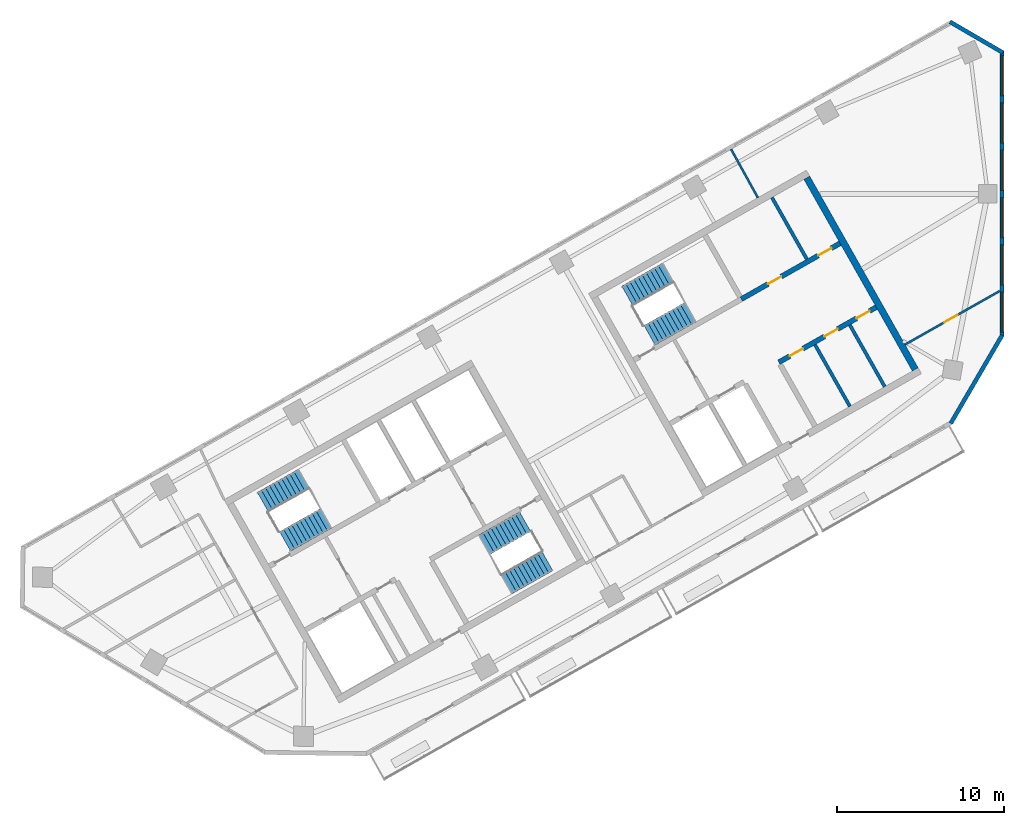
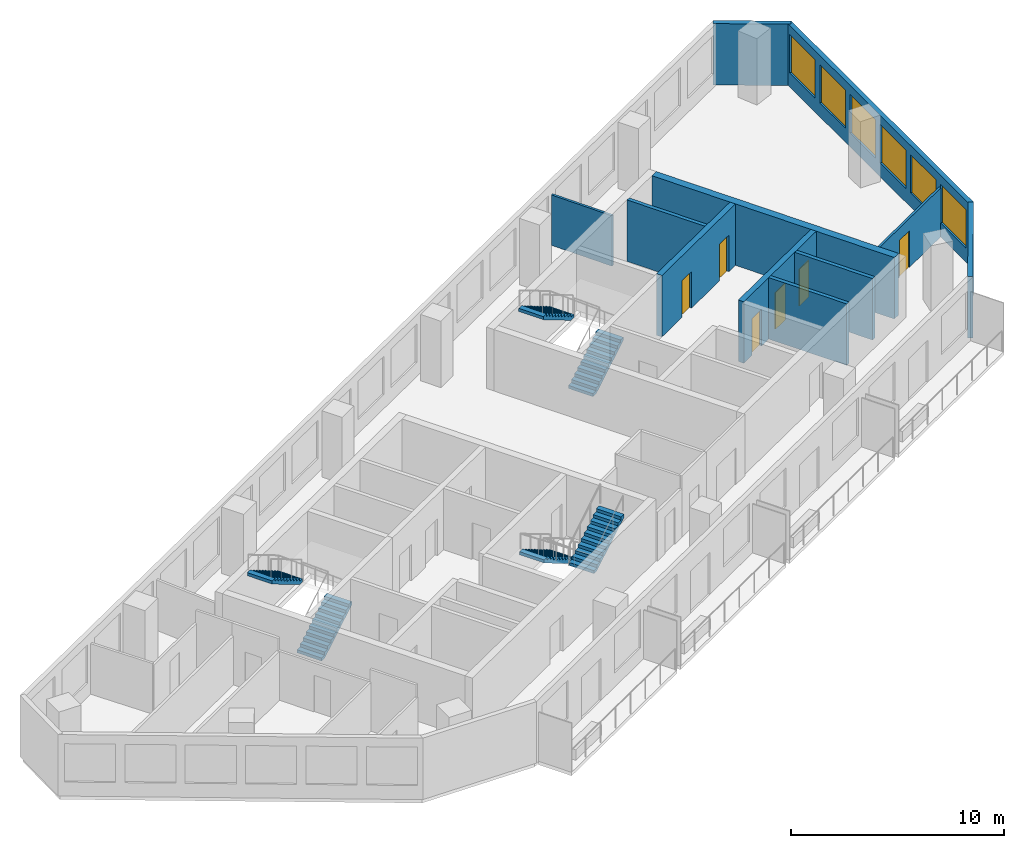
# One storey, part 5 of 7: 11 walls, 6 doors, 6 stair flights, 6 windows, 12 openings, 3 elements without a shape of their own.
"""IFC4 building model written with IfcOpenShell, lengths in metres."""

from ifc_helpers import new_model, si_unit, direction, frame, frame_2d, origin, place, context, subcontext, project, spatial, polyline, rectangle, outline, extrude, material, layer, layer_set, type_object, element, fill, aggregate, save


model = new_model("IFC4")

# Units and contexts
model_context = context("Model", 3, precision=1e-05, world=origin(), true_north=direction((0.0, 1.0)))
body_context = subcontext(model_context, "Body", "Model", "MODEL_VIEW")
ifc_project = project(units=[si_unit("LENGTHUNIT", "METRE"), si_unit("AREAUNIT", "SQUARE_METRE"), si_unit("VOLUMEUNIT", "CUBIC_METRE"), si_unit("PLANEANGLEUNIT", "RADIAN"), si_unit("MASSUNIT", "GRAM", prefix="KILO")], contexts=[model_context])

# Site, building, storey
site_placement = place(None, origin())
site = spatial("IfcSite", under=ifc_project, at=site_placement, CompositionType="ELEMENT")
building_placement = place(site_placement, origin())
building = spatial("IfcBuilding", under=site, at=building_placement, Name="Binnacle Exchange Tower", CompositionType="ELEMENT")
storey_placement = place(building_placement, frame((0.0, 0.0, 296.89990234375)))
storey = spatial("IfcBuildingStorey", under=building, at=storey_placement, Name="L66", CompositionType="ELEMENT", Elevation=296.89990234375)

# Walls
ifc_material_1 = material(Name="Gypsum partition fire rated")
ifc_layer_1 = layer(ifc_material_1, 0.199951171875)
ifc_layer_set_1 = layer_set([ifc_layer_1], Name="Core partition 200")
wall_type_1 = type_object("IfcWallType", Name="Core partition 200", PredefinedType="PARTITIONING", material=ifc_layer_set_1)
wall_1_placement = place(storey_placement, frame((-11.201904296875, 50.96240234375, 0.0), z_axis=(0.0, 0.0, 1.0), x_axis=(0.492441437811, -0.870345580977, 0.0)))
element("IfcWall", 1, at=wall_1_placement, inside=storey, type_object=wall_type_1, Name="Core wall CRWC19", PredefinedType="PARTITIONING", context=body_context, shape_type="SweptSolid", body=[
    extrude(rectangle(XDim=4.250244140625, YDim=0.199951171875, at=frame_2d((2.125, 0.0))), origin(), (0.0, 0.0, 1.0), 3.52001953125),
])
for number, where, z_axis, x_axis, name in (
    (2, (-13.78125, 59.785888671875, 0.0), (0.0, 0.0, 1.0), (0.492422543467, -0.870356271124, 0.0), "Core wall CRWC20"),
    (3, (-9.11279296875, 52.14404296875, 0.0), (0.0, 0.0, 1.0), (0.492422543467, -0.870356271124, 0.0), "Core wall CRWC22"),
):
    element("IfcWall", number, at=place(storey_placement, frame(where, z_axis=z_axis, x_axis=x_axis)), inside=storey, type_object=wall_type_1, Name=name, PredefinedType="PARTITIONING", context=body_context, shape_type="SweptSolid", body=[
        extrude(rectangle(XDim=4.25, YDim=0.199951171875, at=frame_2d((2.125, 0.0))), origin(), (0.0, 0.0, 1.0), 3.52001953125),
    ])

# Wall, openings, doors
ifc_material_2 = material(Name="Concrete C70/85", Category="concrete")
ifc_layer_2 = layer(ifc_material_2, 0.300048828125)
ifc_layer_set_2 = layer_set([ifc_layer_2], Name="Core wall - front 300")
wall_type_2 = type_object("IfcWallType", Name="Core wall - front 300", PredefinedType="SOLIDWALL", material=ifc_layer_set_2)
wall_2_placement = place(storey_placement, frame((-13.364501953125, 49.910888671875, 0.0), z_axis=(0.0, 0.0, 1.0), x_axis=(0.870347618718, 0.492437836272, 0.0)))
wall_2 = element("IfcWall", 4, at=wall_2_placement, inside=storey, type_object=wall_type_2, Name="Core wall CRWC3", PredefinedType="SOLIDWALL", context=body_context, shape_type="SweptSolid", body=[
    extrude(rectangle(XDim=6.699951171875, YDim=0.300048828125, at=frame_2d((3.35009765625, 0.0))), origin(), (0.0, 0.0, 1.0), 3.52001953125),
])
opening_1_placement = place(wall_2_placement, frame((0.75, 0.0, 0.0)))
opening_1 = element("IfcOpeningElement", 5, at=opening_1_placement, cuts=wall_2, Name="Opening DC18", PredefinedType="OPENING", context=body_context, shape_type="SweptSolid", body=[
    extrude(rectangle(XDim=0.89990234375, YDim=2.10009765625, at=frame_2d((0.449951171875, 1.050048828125))), frame((0.0, 0.159912109375, 0.0), z_axis=(0.0, -1.0, 0.0), x_axis=(1.0, 0.0, 0.0)), (0.0, 0.0, 1.0), 0.320068359375),
])
opening_2_placement = place(wall_2_placement, frame((3.14990234375, 0.0, 0.0)))
opening_2 = element("IfcOpeningElement", 6, at=opening_2_placement, cuts=wall_2, Name="Opening DC19", PredefinedType="OPENING", context=body_context, shape_type="SweptSolid", body=[
    extrude(rectangle(XDim=0.89990234375, YDim=2.10009765625, at=frame_2d((0.449951171875, 1.050048828125))), frame((0.0, 0.159912109375, 0.0), z_axis=(0.0, -1.0, 0.0), x_axis=(1.0, 0.0, 0.0)), (0.0, 0.0, 1.0), 0.320068359375),
])
opening_3_placement = place(wall_2_placement, frame((5.35009765625, 0.0, 0.0)))
opening_3 = element("IfcOpeningElement", 7, at=opening_3_placement, cuts=wall_2, Name="Opening DC20", PredefinedType="OPENING", context=body_context, shape_type="SweptSolid", body=[
    extrude(rectangle(XDim=0.89990234375, YDim=2.10009765625, at=frame_2d((0.449951171875, 1.050048828125))), frame((0.0, 0.159912109375, 0.0), z_axis=(0.0, -1.0, 0.0), x_axis=(1.0, 0.0, 0.0)), (0.0, 0.0, 1.0), 0.320068359375),
])
ifc_material_3 = material(Name="Steel door leaf", Category="steel")
door_type_1 = type_object("IfcDoorType", Name="Fire door 900", OperationType="NOTDEFINED", PredefinedType="DOOR", material=ifc_material_3)
door_1_placement = place(opening_1_placement, frame((0.89990234375, 0.0, 0.0), z_axis=(0.0, 0.0, 1.0), x_axis=(-1.0, 0.0, 0.0)))
door_1 = element("IfcDoor", 8, at=door_1_placement, inside=storey, type_object=door_type_1, Name="Core room door COMMS RISER ROOM", OperationType="SINGLE_SWING_RIGHT", OverallHeight=2.10009765625, OverallWidth=0.89990234375, PredefinedType="DOOR", context=body_context, shape_type="SweptSolid", body=[
    extrude(rectangle(XDim=0.89990234375, YDim=2.10009765625, at=frame_2d((0.449951171875, 1.050048828125))), frame((0.0, 0.02490234375, 0.0), z_axis=(0.0, -1.0, 0.0), x_axis=(1.0, 0.0, 0.0)), (0.0, 0.0, 1.0), 0.050048828125),
])
fill(opening_1, door_1)
door_2_placement = place(opening_2_placement, frame((0.89990234375, 0.0, 0.0), z_axis=(0.0, 0.0, 1.0), x_axis=(-1.0, 0.0, 0.0)))
door_2 = element("IfcDoor", 9, at=door_2_placement, inside=storey, type_object=door_type_1, Name="Core room door CLEANERS STORE", OperationType="SINGLE_SWING_LEFT", OverallHeight=2.10009765625, OverallWidth=0.89990234375, PredefinedType="DOOR", context=body_context, shape_type="SweptSolid", body=[
    extrude(rectangle(XDim=0.89990234375, YDim=2.10009765625, at=frame_2d((0.449951171875, 1.050048828125))), frame((0.0, 0.02490234375, 0.0), z_axis=(0.0, -1.0, 0.0), x_axis=(1.0, 0.0, 0.0)), (0.0, 0.0, 1.0), 0.050048828125),
])
fill(opening_2, door_2)
door_3_placement = place(opening_3_placement, frame((0.89990234375, 0.0, 0.0), z_axis=(0.0, 0.0, 1.0), x_axis=(-1.0, 0.0, 0.0)))
door_3 = element("IfcDoor", 10, at=door_3_placement, inside=storey, type_object=door_type_1, Name="Core room door IT STORE", OperationType="SINGLE_SWING_LEFT", OverallHeight=2.10009765625, OverallWidth=0.89990234375, PredefinedType="DOOR", context=body_context, shape_type="SweptSolid", body=[
    extrude(rectangle(XDim=0.89990234375, YDim=2.10009765625, at=frame_2d((0.449951171875, 1.050048828125))), frame((0.0, 0.02490234375, 0.0), z_axis=(0.0, -1.0, 0.0), x_axis=(1.0, 0.0, 0.0)), (0.0, 0.0, 1.0), 0.050048828125),
])
fill(opening_3, door_3)

wall_3_placement = place(storey_placement, frame((-15.6181640625, 53.69140625, 0.0), z_axis=(0.0, 0.0, 1.0), x_axis=(0.870362830851, 0.492410948978, 0.0)))
wall_3 = element("IfcWall", 11, at=wall_3_placement, inside=storey, type_object=wall_type_2, Name="Core wall CRWC5", PredefinedType="SOLIDWALL", context=body_context, shape_type="SweptSolid", body=[
    extrude(rectangle(XDim=6.800048828125, YDim=0.300048828125, at=frame_2d((3.39990234375, 0.0))), origin(), (0.0, 0.0, 1.0), 3.52001953125),
])
opening_4_placement = place(wall_3_placement, frame((1.85009765625, 0.0, 0.0)))
opening_4 = element("IfcOpeningElement", 12, at=opening_4_placement, cuts=wall_3, Name="Opening DC10", PredefinedType="OPENING", context=body_context, shape_type="SweptSolid", body=[
    extrude(rectangle(XDim=0.89990234375, YDim=2.10009765625, at=frame_2d((0.449951171875, 1.050048828125))), frame((0.0, 0.159912109375, 0.0), z_axis=(0.0, -1.0, 0.0), x_axis=(1.0, 0.0, 0.0)), (0.0, 0.0, 1.0), 0.320068359375),
])
opening_5_placement = place(wall_3_placement, frame((5.300048828125, 0.0, 0.0)))
opening_5 = element("IfcOpeningElement", 13, at=opening_5_placement, cuts=wall_3, Name="Opening DC11", PredefinedType="OPENING", context=body_context, shape_type="SweptSolid", body=[
    extrude(rectangle(XDim=0.89990234375, YDim=2.10009765625, at=frame_2d((0.449951171875, 1.050048828125))), frame((0.0, 0.159912109375, 0.0), z_axis=(0.0, -1.0, 0.0), x_axis=(1.0, 0.0, 0.0)), (0.0, 0.0, 1.0), 0.320068359375),
])
door_4_placement = place(opening_4_placement, origin())
door_4 = element("IfcDoor", 14, at=door_4_placement, inside=storey, type_object=door_type_1, Name="Core room door EQUIPMENT STORE", OperationType="SINGLE_SWING_LEFT", OverallHeight=2.10009765625, OverallWidth=0.89990234375, PredefinedType="DOOR", context=body_context, shape_type="SweptSolid", body=[
    extrude(rectangle(XDim=0.89990234375, YDim=2.10009765625, at=frame_2d((0.449951171875, 1.050048828125))), frame((0.0, 0.02490234375, 0.0), z_axis=(0.0, -1.0, 0.0), x_axis=(1.0, 0.0, 0.0)), (0.0, 0.0, 1.0), 0.050048828125),
])
fill(opening_4, door_4)
door_5_placement = place(opening_5_placement, origin())
door_5 = element("IfcDoor", 15, at=door_5_placement, inside=storey, type_object=door_type_1, Name="Core room door ELECTRICAL ROOM", OperationType="SINGLE_SWING_RIGHT", OverallHeight=2.10009765625, OverallWidth=0.89990234375, PredefinedType="DOOR", context=body_context, shape_type="SweptSolid", body=[
    extrude(rectangle(XDim=0.89990234375, YDim=2.10009765625, at=frame_2d((0.449951171875, 1.050048828125))), frame((0.0, 0.02490234375, 0.0), z_axis=(0.0, -1.0, 0.0), x_axis=(1.0, 0.0, 0.0)), (0.0, 0.0, 1.0), 0.050048828125),
])
fill(opening_5, door_5)

# Walls
ifc_layer_3 = layer(ifc_material_2, 0.39990234375)
ifc_layer_set_3 = layer_set([ifc_layer_3], Name="Core wall - outer 400")
wall_type_3 = type_object("IfcWallType", Name="Core wall - outer 400", PredefinedType="SOLIDWALL", material=ifc_layer_set_3)
wall_4_placement = place(storey_placement, frame((-11.6923828125, 60.968017578125, 0.0), z_axis=(0.0, 0.0, 1.0), x_axis=(0.492421663121, -0.870356769198, 0.0)))
element("IfcWall", 16, at=wall_4_placement, inside=storey, type_object=wall_type_3, Name="Core wall CRWC24", PredefinedType="SOLIDWALL", context=body_context, shape_type="SweptSolid", body=[
    extrude(rectangle(XDim=13.199951171875, YDim=0.39990234375, at=frame_2d((6.60009765625, 0.0))), origin(), (0.0, 0.0, 1.0), 3.52001953125),
])
ifc_material_4 = material(Name="Bronze aluminium cladding", Category="aluminium")
ifc_layer_4 = layer(ifc_material_4, 0.25)
ifc_layer_set_4 = layer_set([ifc_layer_4], Name="External wall - window wall 250")
wall_type_4 = type_object("IfcWallType", Name="External wall - window wall 250", PredefinedType="STANDARD", material=ifc_layer_set_4)
wall_5_placement = place(storey_placement, frame((0.01708984375, 51.529296875, 0.0), z_axis=(0.0, 0.0, 1.0), x_axis=(-0.503769237131, -0.863838269424, 0.0)))
element("IfcWall", 17, at=wall_5_placement, inside=storey, type_object=wall_type_4, Name="External wall EW-H00 L66", PredefinedType="STANDARD", context=body_context, shape_type="SweptSolid", body=[
    extrude(rectangle(XDim=6.114501953125, YDim=0.25, at=frame_2d((3.05712890625, 0.0))), origin(), (0.0, 0.0, 1.0), 3.52001953125),
])

# Wall, openings, windows
wall_6_placement = place(storey_placement, frame((0.0, 68.57177734375, 0.0), z_axis=(0.0, 0.0, 1.0), x_axis=(0.0, -1.0, 0.0)))
wall_6 = element("IfcWall", 18, at=wall_6_placement, inside=storey, type_object=wall_type_4, Name="External wall EW-H01 L66", PredefinedType="STANDARD", context=body_context, shape_type="SweptSolid", body=[
    extrude(rectangle(XDim=17.10546875, YDim=0.25, at=frame_2d((8.552734375, 0.0))), origin(), (0.0, 0.0, 1.0), 3.52001953125),
])
opening_6_placement = place(wall_6_placement, frame((14.455078125, 0.0, 0.800048828125)))
opening_6 = element("IfcOpeningElement", 19, at=opening_6_placement, cuts=wall_6, Name="Opening WR2", PredefinedType="OPENING", context=body_context, shape_type="SweptSolid", body=[
    extrude(rectangle(XDim=2.39990234375, YDim=2.199951171875, at=frame_2d((1.199951171875, 1.10009765625))), frame((0.0, 0.135009765625, 0.0), z_axis=(0.0, -1.0, 0.0), x_axis=(1.0, 0.0, 0.0)), (0.0, 0.0, 1.0), 0.27001953125),
])
opening_7_placement = place(wall_6_placement, frame((11.621826171875, 0.0, 0.800048828125)))
opening_7 = element("IfcOpeningElement", 20, at=opening_7_placement, cuts=wall_6, Name="Opening WR2", PredefinedType="OPENING", context=body_context, shape_type="SweptSolid", body=[
    extrude(rectangle(XDim=2.39990234375, YDim=2.199951171875, at=frame_2d((1.199951171875, 1.10009765625))), frame((0.0, 0.135009765625, 0.0), z_axis=(0.0, -1.0, 0.0), x_axis=(1.0, 0.0, 0.0)), (0.0, 0.0, 1.0), 0.27001953125),
])
opening_8_placement = place(wall_6_placement, frame((8.78857421875, 0.0, 0.800048828125)))
opening_8 = element("IfcOpeningElement", 21, at=opening_8_placement, cuts=wall_6, Name="Opening WR2", PredefinedType="OPENING", context=body_context, shape_type="SweptSolid", body=[
    extrude(rectangle(XDim=2.39990234375, YDim=2.199951171875, at=frame_2d((1.199951171875, 1.10009765625))), frame((0.0, 0.135009765625, 0.0), z_axis=(0.0, -1.0, 0.0), x_axis=(1.0, 0.0, 0.0)), (0.0, 0.0, 1.0), 0.27001953125),
])
opening_9_placement = place(wall_6_placement, frame((5.955078125, 0.0, 0.800048828125)))
opening_9 = element("IfcOpeningElement", 22, at=opening_9_placement, cuts=wall_6, Name="Opening WR2", PredefinedType="OPENING", context=body_context, shape_type="SweptSolid", body=[
    extrude(rectangle(XDim=2.39990234375, YDim=2.199951171875, at=frame_2d((1.199951171875, 1.10009765625))), frame((0.0, 0.135009765625, 0.0), z_axis=(0.0, -1.0, 0.0), x_axis=(1.0, 0.0, 0.0)), (0.0, 0.0, 1.0), 0.27001953125),
])
opening_10_placement = place(wall_6_placement, frame((3.121826171875, 0.0, 0.800048828125)))
opening_10 = element("IfcOpeningElement", 23, at=opening_10_placement, cuts=wall_6, Name="Opening WR2", PredefinedType="OPENING", context=body_context, shape_type="SweptSolid", body=[
    extrude(rectangle(XDim=2.39990234375, YDim=2.199951171875, at=frame_2d((1.199951171875, 1.10009765625))), frame((0.0, 0.135009765625, 0.0), z_axis=(0.0, -1.0, 0.0), x_axis=(1.0, 0.0, 0.0)), (0.0, 0.0, 1.0), 0.27001953125),
])
opening_11_placement = place(wall_6_placement, frame((0.28857421875, 0.0, 0.800048828125)))
opening_11 = element("IfcOpeningElement", 24, at=opening_11_placement, cuts=wall_6, Name="Opening WR2", PredefinedType="OPENING", context=body_context, shape_type="SweptSolid", body=[
    extrude(rectangle(XDim=2.39990234375, YDim=2.199951171875, at=frame_2d((1.199951171875, 1.10009765625))), frame((0.0, 0.135009765625, 0.0), z_axis=(0.0, -1.0, 0.0), x_axis=(1.0, 0.0, 0.0)), (0.0, 0.0, 1.0), 0.27001953125),
])
ifc_material_5 = material(Name="Bronze anodised aluminium frame", Category="aluminium")
window_type = type_object("IfcWindowType", Name="WR2 WINDOW 2400x2200", PartitioningType="SINGLE_PANEL", PredefinedType="WINDOW", material=ifc_material_5)
window_1_placement = place(opening_6_placement, origin())
window_1 = element("IfcWindow", 25, at=window_1_placement, inside=storey, type_object=window_type, Name="Window WR2 L66", OverallHeight=2.199951171875, OverallWidth=2.39990234375, PartitioningType="SINGLE_PANEL", PredefinedType="WINDOW", context=body_context, shape_type="SweptSolid", body=[
    extrude(rectangle(XDim=2.39990234375, YDim=2.199951171875, at=frame_2d((1.199951171875, 1.10009765625))), frame((0.0, 0.030029296875, 0.0), z_axis=(0.0, -1.0, 0.0), x_axis=(1.0, 0.0, 0.0)), (0.0, 0.0, 1.0), 0.06005859375),
])
fill(opening_6, window_1)
window_2_placement = place(opening_7_placement, origin())
window_2 = element("IfcWindow", 26, at=window_2_placement, inside=storey, type_object=window_type, Name="Window WR2 L66", OverallHeight=2.199951171875, OverallWidth=2.39990234375, PartitioningType="SINGLE_PANEL", PredefinedType="WINDOW", context=body_context, shape_type="SweptSolid", body=[
    extrude(rectangle(XDim=2.39990234375, YDim=2.199951171875, at=frame_2d((1.199951171875, 1.10009765625))), frame((0.0, 0.030029296875, 0.0), z_axis=(0.0, -1.0, 0.0), x_axis=(1.0, 0.0, 0.0)), (0.0, 0.0, 1.0), 0.06005859375),
])
fill(opening_7, window_2)
window_3_placement = place(opening_8_placement, origin())
window_3 = element("IfcWindow", 27, at=window_3_placement, inside=storey, type_object=window_type, Name="Window WR2 L66", OverallHeight=2.199951171875, OverallWidth=2.39990234375, PartitioningType="SINGLE_PANEL", PredefinedType="WINDOW", context=body_context, shape_type="SweptSolid", body=[
    extrude(rectangle(XDim=2.39990234375, YDim=2.199951171875, at=frame_2d((1.199951171875, 1.10009765625))), frame((0.0, 0.030029296875, 0.0), z_axis=(0.0, -1.0, 0.0), x_axis=(1.0, 0.0, 0.0)), (0.0, 0.0, 1.0), 0.06005859375),
])
fill(opening_8, window_3)
window_4_placement = place(opening_9_placement, origin())
window_4 = element("IfcWindow", 28, at=window_4_placement, inside=storey, type_object=window_type, Name="Window WR2 L66", OverallHeight=2.199951171875, OverallWidth=2.39990234375, PartitioningType="SINGLE_PANEL", PredefinedType="WINDOW", context=body_context, shape_type="SweptSolid", body=[
    extrude(rectangle(XDim=2.39990234375, YDim=2.199951171875, at=frame_2d((1.199951171875, 1.10009765625))), frame((0.0, 0.030029296875, 0.0), z_axis=(0.0, -1.0, 0.0), x_axis=(1.0, 0.0, 0.0)), (0.0, 0.0, 1.0), 0.06005859375),
])
fill(opening_9, window_4)
window_5_placement = place(opening_10_placement, origin())
window_5 = element("IfcWindow", 29, at=window_5_placement, inside=storey, type_object=window_type, Name="Window WR2 L66", OverallHeight=2.199951171875, OverallWidth=2.39990234375, PartitioningType="SINGLE_PANEL", PredefinedType="WINDOW", context=body_context, shape_type="SweptSolid", body=[
    extrude(rectangle(XDim=2.39990234375, YDim=2.199951171875, at=frame_2d((1.199951171875, 1.10009765625))), frame((0.0, 0.030029296875, 0.0), z_axis=(0.0, -1.0, 0.0), x_axis=(1.0, 0.0, 0.0)), (0.0, 0.0, 1.0), 0.06005859375),
])
fill(opening_10, window_5)
window_6_placement = place(opening_11_placement, origin())
window_6 = element("IfcWindow", 30, at=window_6_placement, inside=storey, type_object=window_type, Name="Window WR2 L66", OverallHeight=2.199951171875, OverallWidth=2.39990234375, PartitioningType="SINGLE_PANEL", PredefinedType="WINDOW", context=body_context, shape_type="SweptSolid", body=[
    extrude(rectangle(XDim=2.39990234375, YDim=2.199951171875, at=frame_2d((1.199951171875, 1.10009765625))), frame((0.0, 0.030029296875, 0.0), z_axis=(0.0, -1.0, 0.0), x_axis=(1.0, 0.0, 0.0)), (0.0, 0.0, 1.0), 0.06005859375),
])
fill(opening_11, window_6)

# Walls
wall_7_placement = place(storey_placement, frame((-3.108154296875, 70.312744140625, 0.0), z_axis=(0.0, 0.0, 1.0), x_axis=(0.86382474085, -0.503792434536, 0.0)))
element("IfcWall", 31, at=wall_7_placement, inside=storey, type_object=wall_type_4, Name="External wall EW-H02 L66", PredefinedType="STANDARD", context=body_context, shape_type="SweptSolid", body=[
    extrude(rectangle(XDim=3.669921875, YDim=0.25, at=frame_2d((1.8349609375, 0.0))), origin(), (0.0, 0.0, 1.0), 3.52001953125),
])
ifc_material_6 = material(Name="Gypsum partition")
ifc_layer_5 = layer(ifc_material_6, 0.125)
ifc_layer_set_5 = layer_set([ifc_layer_5], Name="Partition 125")
wall_type_5 = type_object("IfcWallType", Name="Partition 125", PredefinedType="PARTITIONING", material=ifc_layer_set_5)
wall_8_placement = place(storey_placement, frame((-16.22900390625, 62.675048828125, 0.0), z_axis=(0.0, 0.0, 1.0), x_axis=(0.483687594014, -0.875240716259, 0.0)))
element("IfcWall", 32, at=wall_8_placement, inside=storey, type_object=wall_type_5, Name="Partition W19", PredefinedType="PARTITIONING", context=body_context, shape_type="SweptSolid", body=[
    extrude(rectangle(XDim=3.3203125, YDim=0.125, at=frame_2d((1.66015625, 0.0))), origin(), (0.0, 0.0, 1.0), 2.88818359375),
])

# Wall, opening, door
wall_9_placement = place(storey_placement, frame((-5.805908203125, 50.969970703125, 0.0), z_axis=(0.0, 0.0, 1.0), x_axis=(0.870355163327, 0.492424501492, 0.0)))
wall_9 = element("IfcWall", 33, at=wall_9_placement, inside=storey, type_object=wall_type_5, Name="Partition W20", PredefinedType="PARTITIONING", context=body_context, shape_type="SweptSolid", body=[
    extrude(rectangle(XDim=6.527099609375, YDim=0.125, at=frame_2d((3.263671875, 0.0))), origin(), (0.0, 0.0, 1.0), 2.800048828125),
])
opening_12_placement = place(wall_9_placement, frame((2.699951171875, 0.0, 0.0)))
opening_12 = element("IfcOpeningElement", 34, at=opening_12_placement, cuts=wall_9, Name="Opening DL65-08", PredefinedType="OPENING", context=body_context, shape_type="SweptSolid", body=[
    extrude(rectangle(XDim=0.89990234375, YDim=2.10009765625, at=frame_2d((0.449951171875, 1.050048828125))), frame((0.0, 0.072509765625, 0.0), z_axis=(0.0, -1.0, 0.0), x_axis=(1.0, 0.0, 0.0)), (0.0, 0.0, 1.0), 0.14501953125),
])
ifc_material_7 = material(Name="Timber door leaf", Category="wood")
door_type_2 = type_object("IfcDoorType", Name="Door 900", OperationType="NOTDEFINED", PredefinedType="DOOR", material=ifc_material_7)
door_6_placement = place(opening_12_placement, origin())
door_6 = element("IfcDoor", 35, at=door_6_placement, inside=storey, type_object=door_type_2, Name="Door DL65-08", OperationType="SINGLE_SWING_LEFT", OverallHeight=2.10009765625, OverallWidth=0.89990234375, PredefinedType="DOOR", context=body_context, shape_type="SweptSolid", body=[
    extrude(rectangle(XDim=0.89990234375, YDim=2.10009765625, at=frame_2d((0.449951171875, 1.050048828125))), frame((0.0, 0.02490234375, 0.0), z_axis=(0.0, -1.0, 0.0), x_axis=(1.0, 0.0, 0.0)), (0.0, 0.0, 1.0), 0.050048828125),
])
fill(opening_12, door_6)

# Stair, stair flights
ifc_material_8 = material(Name="Concrete C35/45", Category="concrete")
stair_type = type_object("IfcStairType", Name="STAIR 22 RISERS 173", PredefinedType="HALF_TURN_STAIR", material=ifc_material_8)
stair_1_placement = place(storey_placement, origin())
stair_1 = element("IfcStair", 36, at=stair_1_placement, inside=storey, type_object=stair_type, Name="L66 Escape stair A1", PredefinedType="HALF_TURN_STAIR")
stair_flight_type = type_object("IfcStairFlightType", Name="STAIR FLIGHT 173X280", PredefinedType="STRAIGHT", material=ifc_material_8)
stair_flight_1_placement = place(storey_placement, frame((-42.9541015625, 39.17333984375, 0.0), z_axis=(0.0, 0.0, 1.0), x_axis=(0.870355584213, 0.492423757581, 0.0)))
stair_flight_1 = element("IfcStairFlight", 37, at=stair_flight_1_placement, type_object=stair_flight_type, Name="STA1 flight 1", NumberOfRisers=11, NumberOfTreads=10, PredefinedType="STRAIGHT", RiserHeight=0.172727273, TreadLength=0.28, context=body_context, shape_type="SweptSolid", body=[
    extrude(outline(polyline([(0.0, 0.0), (0.0, 0.172607421875), (0.280029296875, 0.172607421875), (0.280029296875, 0.345458984375), (0.56005859375, 0.345458984375), (0.56005859375, 0.51806640625), (0.840087890625, 0.51806640625), (0.840087890625, 0.69091796875), (1.1201171875, 0.69091796875), (1.1201171875, 0.863525390625), (1.39990234375, 0.863525390625), (1.39990234375, 1.036376953125), (1.679931640625, 1.036376953125), (1.679931640625, 1.208984375), (1.9599609375, 1.208984375), (1.9599609375, 1.3818359375), (2.239990234375, 1.3818359375), (2.239990234375, 1.554443359375), (2.52001953125, 1.554443359375), (2.52001953125, 1.727294921875), (2.800048828125, 1.727294921875), (2.800048828125, 1.89990234375), (2.800048828125, 1.551025390625), (0.285400390625, 0.0), (0.0, 0.0)])), frame((0.0, 0.675048828125, 0.0), z_axis=(0.0, -1.0, 0.0), x_axis=(1.0, 0.0, 0.0)), (0.0, 0.0, 1.0), 1.35009765625),
])
stair_flight_2_placement = place(storey_placement, frame((-41.846435546875, 42.902099609375, 1.900146484375), z_axis=(0.0, 0.0, 1.0), x_axis=(-0.870355584213, -0.492423757581, 0.0)))
stair_flight_2 = element("IfcStairFlight", 38, at=stair_flight_2_placement, type_object=stair_flight_type, Name="STA1 flight 2", NumberOfRisers=11, NumberOfTreads=10, PredefinedType="STRAIGHT", RiserHeight=0.172727273, TreadLength=0.28, context=body_context, shape_type="SweptSolid", body=[
    extrude(outline(polyline([(0.0, 0.0), (0.0, 0.172607421875), (0.280029296875, 0.172607421875), (0.280029296875, 0.345458984375), (0.56005859375, 0.345458984375), (0.56005859375, 0.51806640625), (0.840087890625, 0.51806640625), (0.840087890625, 0.69091796875), (1.1201171875, 0.69091796875), (1.1201171875, 0.863525390625), (1.39990234375, 0.863525390625), (1.39990234375, 1.036376953125), (1.679931640625, 1.036376953125), (1.679931640625, 1.208984375), (1.9599609375, 1.208984375), (1.9599609375, 1.3818359375), (2.239990234375, 1.3818359375), (2.239990234375, 1.554443359375), (2.52001953125, 1.554443359375), (2.52001953125, 1.727294921875), (2.800048828125, 1.727294921875), (2.800048828125, 1.89990234375), (2.800048828125, 1.551025390625), (0.285400390625, 0.0), (0.0, 0.0)])), frame((0.0, 0.675048828125, 0.0), z_axis=(0.0, -1.0, 0.0), x_axis=(1.0, 0.0, 0.0)), (0.0, 0.0, 1.0), 1.35009765625),
])
aggregate(stair_1, [stair_flight_1, stair_flight_2])

stair_2_placement = place(storey_placement, origin())
stair_2 = element("IfcStair", 39, at=stair_2_placement, inside=storey, type_object=stair_type, Name="L66 Escape stair A2", PredefinedType="HALF_TURN_STAIR")
stair_flight_3_placement = place(storey_placement, frame((-28.5732421875, 40.3583984375, 0.0), z_axis=(0.0, 0.0, 1.0), x_axis=(-0.870355584213, -0.492423757581, 0.0)))
stair_flight_3 = element("IfcStairFlight", 40, at=stair_flight_3_placement, type_object=stair_flight_type, Name="STA2 flight 1", NumberOfRisers=11, NumberOfTreads=10, PredefinedType="STRAIGHT", RiserHeight=0.172727273, TreadLength=0.28, context=body_context, shape_type="SweptSolid", body=[
    extrude(outline(polyline([(0.0, 0.0), (0.0, 0.172607421875), (0.280029296875, 0.172607421875), (0.280029296875, 0.345458984375), (0.56005859375, 0.345458984375), (0.56005859375, 0.51806640625), (0.840087890625, 0.51806640625), (0.840087890625, 0.69091796875), (1.1201171875, 0.69091796875), (1.1201171875, 0.863525390625), (1.39990234375, 0.863525390625), (1.39990234375, 1.036376953125), (1.679931640625, 1.036376953125), (1.679931640625, 1.208984375), (1.9599609375, 1.208984375), (1.9599609375, 1.3818359375), (2.239990234375, 1.3818359375), (2.239990234375, 1.554443359375), (2.52001953125, 1.554443359375), (2.52001953125, 1.727294921875), (2.800048828125, 1.727294921875), (2.800048828125, 1.89990234375), (2.800048828125, 1.551025390625), (0.285400390625, 0.0), (0.0, 0.0)])), frame((0.0, 0.675048828125, 0.0), z_axis=(0.0, -1.0, 0.0), x_axis=(1.0, 0.0, 0.0)), (0.0, 0.0, 1.0), 1.35009765625),
])
stair_flight_4_placement = place(storey_placement, frame((-29.6806640625, 36.629638671875, 1.900146484375), z_axis=(0.0, 0.0, 1.0), x_axis=(0.870355584213, 0.492423757581, 0.0)))
stair_flight_4 = element("IfcStairFlight", 41, at=stair_flight_4_placement, type_object=stair_flight_type, Name="STA2 flight 2", NumberOfRisers=11, NumberOfTreads=10, PredefinedType="STRAIGHT", RiserHeight=0.172727273, TreadLength=0.28, context=body_context, shape_type="SweptSolid", body=[
    extrude(outline(polyline([(0.0, 0.0), (0.0, 0.172607421875), (0.280029296875, 0.172607421875), (0.280029296875, 0.345458984375), (0.56005859375, 0.345458984375), (0.56005859375, 0.51806640625), (0.840087890625, 0.51806640625), (0.840087890625, 0.69091796875), (1.1201171875, 0.69091796875), (1.1201171875, 0.863525390625), (1.39990234375, 0.863525390625), (1.39990234375, 1.036376953125), (1.679931640625, 1.036376953125), (1.679931640625, 1.208984375), (1.9599609375, 1.208984375), (1.9599609375, 1.3818359375), (2.239990234375, 1.3818359375), (2.239990234375, 1.554443359375), (2.52001953125, 1.554443359375), (2.52001953125, 1.727294921875), (2.800048828125, 1.727294921875), (2.800048828125, 1.89990234375), (2.800048828125, 1.551025390625), (0.285400390625, 0.0), (0.0, 0.0)])), frame((0.0, 0.675048828125, 0.0), z_axis=(0.0, -1.0, 0.0), x_axis=(1.0, 0.0, 0.0)), (0.0, 0.0, 1.0), 1.35009765625),
])
aggregate(stair_2, [stair_flight_3, stair_flight_4])

stair_3_placement = place(storey_placement, origin())
stair_3 = element("IfcStair", 42, at=stair_3_placement, inside=storey, type_object=stair_type, Name="L66 Escape stair C1", PredefinedType="HALF_TURN_STAIR")
stair_flight_5_placement = place(storey_placement, frame((-21.115966796875, 51.528564453125, 0.0), z_axis=(0.0, 0.0, 1.0), x_axis=(0.870355584213, 0.492423757581, 0.0)))
stair_flight_5 = element("IfcStairFlight", 43, at=stair_flight_5_placement, type_object=stair_flight_type, Name="STC1 flight 1", NumberOfRisers=11, NumberOfTreads=10, PredefinedType="STRAIGHT", RiserHeight=0.172727273, TreadLength=0.28, context=body_context, shape_type="SweptSolid", body=[
    extrude(outline(polyline([(0.0, 0.0), (0.0, 0.172607421875), (0.280029296875, 0.172607421875), (0.280029296875, 0.345458984375), (0.56005859375, 0.345458984375), (0.56005859375, 0.51806640625), (0.840087890625, 0.51806640625), (0.840087890625, 0.69091796875), (1.1201171875, 0.69091796875), (1.1201171875, 0.863525390625), (1.39990234375, 0.863525390625), (1.39990234375, 1.036376953125), (1.679931640625, 1.036376953125), (1.679931640625, 1.208984375), (1.9599609375, 1.208984375), (1.9599609375, 1.3818359375), (2.239990234375, 1.3818359375), (2.239990234375, 1.554443359375), (2.52001953125, 1.554443359375), (2.52001953125, 1.727294921875), (2.800048828125, 1.727294921875), (2.800048828125, 1.89990234375), (2.800048828125, 1.551025390625), (0.285400390625, 0.0), (0.0, 0.0)])), frame((0.0, 0.675048828125, 0.0), z_axis=(0.0, -1.0, 0.0), x_axis=(1.0, 0.0, 0.0)), (0.0, 0.0, 1.0), 1.35009765625),
])
stair_flight_6_placement = place(storey_placement, frame((-20.008544921875, 55.25732421875, 1.900146484375), z_axis=(0.0, 0.0, 1.0), x_axis=(-0.870355584213, -0.492423757581, 0.0)))
stair_flight_6 = element("IfcStairFlight", 44, at=stair_flight_6_placement, type_object=stair_flight_type, Name="STC1 flight 2", NumberOfRisers=11, NumberOfTreads=10, PredefinedType="STRAIGHT", RiserHeight=0.172727273, TreadLength=0.28, context=body_context, shape_type="SweptSolid", body=[
    extrude(outline(polyline([(0.0, 0.0), (0.0, 0.172607421875), (0.280029296875, 0.172607421875), (0.280029296875, 0.345458984375), (0.56005859375, 0.345458984375), (0.56005859375, 0.51806640625), (0.840087890625, 0.51806640625), (0.840087890625, 0.69091796875), (1.1201171875, 0.69091796875), (1.1201171875, 0.863525390625), (1.39990234375, 0.863525390625), (1.39990234375, 1.036376953125), (1.679931640625, 1.036376953125), (1.679931640625, 1.208984375), (1.9599609375, 1.208984375), (1.9599609375, 1.3818359375), (2.239990234375, 1.3818359375), (2.239990234375, 1.554443359375), (2.52001953125, 1.554443359375), (2.52001953125, 1.727294921875), (2.800048828125, 1.727294921875), (2.800048828125, 1.89990234375), (2.800048828125, 1.551025390625), (0.285400390625, 0.0), (0.0, 0.0)])), frame((0.0, 0.675048828125, 0.0), z_axis=(0.0, -1.0, 0.0), x_axis=(1.0, 0.0, 0.0)), (0.0, 0.0, 1.0), 1.35009765625),
])
aggregate(stair_3, [stair_flight_5, stair_flight_6])

save(model, "model.ifc")
